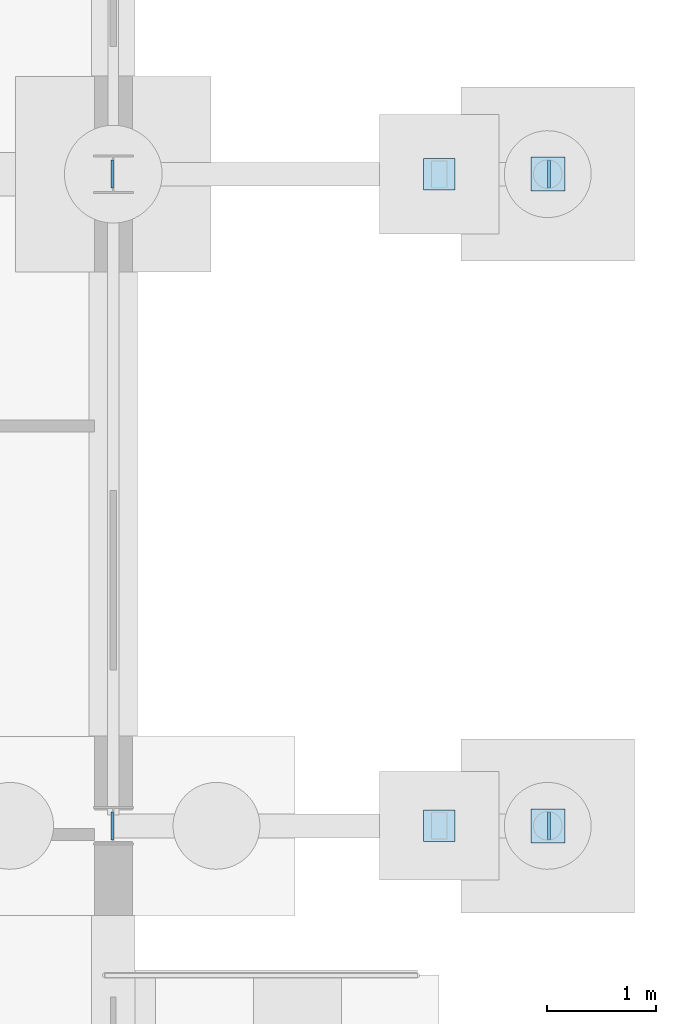
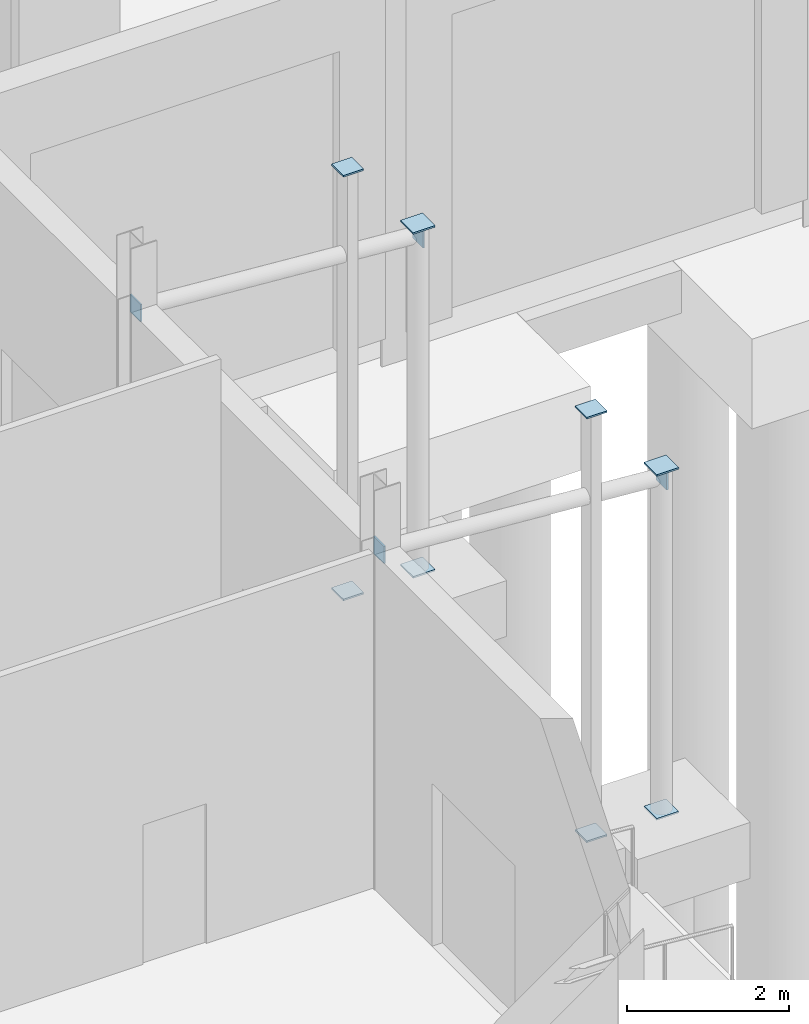
# One storey, part 78 of 120: 12 plates.
"""IFC4 building model written with IfcOpenShell, lengths in metres."""

from ifc_helpers import new_model, si_unit, direction, frame, origin, origin_2d, place, context, subcontext, project, spatial, rectangle, extrude, material, layer, layer_set, type_object, element, save


model = new_model("IFC4")

# Units and contexts
model_context = context("Model", 3, precision=1e-05, world=origin(), true_north=direction((0.0, 1.0)))
body_context = subcontext(model_context, "Body", "Model", "MODEL_VIEW")
ifc_project = project(units=[si_unit("LENGTHUNIT", "METRE"), si_unit("AREAUNIT", "SQUARE_METRE"), si_unit("VOLUMEUNIT", "CUBIC_METRE"), si_unit("PLANEANGLEUNIT", "RADIAN"), si_unit("MASSUNIT", "GRAM", prefix="KILO")], contexts=[model_context])

# Site, building, storey
site_placement = place(None, origin())
site = spatial("IfcSite", under=ifc_project, at=site_placement, CompositionType="ELEMENT")
building_placement = place(site_placement, origin())
building = spatial("IfcBuilding", under=site, at=building_placement, Name="Siltcreek Boulevard Central Fire Station", CompositionType="ELEMENT")
storey_placement = place(building_placement, origin())
storey = spatial("IfcBuildingStorey", under=building, at=storey_placement, Name="L01", CompositionType="ELEMENT", Elevation=0.0)

# Plates
ifc_material = material(Name="Structural steel ASTM A572 Gr50", Category="steel")
ifc_layer = layer(ifc_material, 0.02490234375, Name="Structural steel ASTM A572 Gr50")
ifc_layer_set = layer_set([ifc_layer], Name="Structural steel ASTM A572 Gr50")
plate_type = type_object("IfcPlateType", Name="PL_CAP25", PredefinedType="USERDEFINED", material=ifc_layer_set)
for number, where, z_axis, x_axis, name in (
    (1, (63.0, 7.800048828125, -0.373046875), (0.0, 0.0, 1.0), (1.0, 0.0, 0.0), "Terracotta pier pilaster column PL-01 sealed end cap 1"),
    (2, (63.0, 7.800048828125, 5.998046875), (0.0, 0.0, 1.0), (1.0, 0.0, 0.0), "Terracotta pier pilaster column PL-01 sealed end cap 2"),
    (3, (63.0, 13.800048828125, -0.373046875), (0.0, 0.0, 1.0), (1.0, 0.0, 0.0), "Terracotta pier pilaster column PL-02 sealed end cap 1"),
    (4, (63.0, 13.800048828125, 5.998046875), (0.0, 0.0, 1.0), (1.0, 0.0, 0.0), "Terracotta pier pilaster column PL-02 sealed end cap 2"),
):
    element("IfcPlate", number, at=place(storey_placement, frame(where, z_axis=z_axis, x_axis=x_axis)), inside=storey, type_object=plate_type, Name=name, ObjectType="END CAP", PredefinedType="USERDEFINED", context=body_context, shape_type="SweptSolid", body=[
        extrude(rectangle(XDim=0.2900390625, YDim=0.2900390625, at=origin_2d()), origin(), (0.0, 0.0, 1.0), 0.02490234375),
    ])
for number, where, z_axis, x_axis, name in (
    (5, (64.0, 7.800048828125, -0.373046875), (0.0, 0.0, 1.0), (1.0, 0.0, 0.0), "Boulevard canopy steel pipe column CC-01 sealed end cap 1"),
    (6, (64.0, 7.800048828125, 4.798095703125), (0.0, 0.0, 1.0), (1.0, 0.0, 0.0), "Boulevard canopy steel pipe column CC-01 sealed end cap 2"),
    (7, (64.0, 13.800048828125, -0.373046875), (0.0, 0.0, 1.0), (1.0, 0.0, 0.0), "Boulevard canopy steel pipe column CC-02 sealed end cap 1"),
    (8, (64.0, 13.800048828125, 4.798095703125), (0.0, 0.0, 1.0), (1.0, 0.0, 0.0), "Boulevard canopy steel pipe column CC-02 sealed end cap 2"),
):
    element("IfcPlate", number, at=place(storey_placement, frame(where, z_axis=z_axis, x_axis=x_axis)), inside=storey, type_object=plate_type, Name=name, ObjectType="END CAP", PredefinedType="USERDEFINED", context=body_context, shape_type="SweptSolid", body=[
        extrude(rectangle(XDim=0.31298828125, YDim=0.31298828125, at=origin_2d()), origin(), (0.0, 0.0, 1.0), 0.02490234375),
    ])
for number, where, z_axis, x_axis, name in (
    (9, (64.010498046875, 7.800048828125, 4.51953125), (0.0, 0.0, 1.0), (-1.0, 0.0, 0.0), "Boulevard canopy tie strut CS-01 sealed end cap 1"),
    (10, (59.989501953125, 7.800048828125, 4.8212890625), (0.0, 0.0, 1.0), (-1.0, 0.0, 0.0), "Boulevard canopy tie strut CS-01 sealed end cap 2"),
    (11, (64.010498046875, 13.800048828125, 4.51953125), (0.0, 0.0, 1.0), (-1.0, 0.0, 0.0), "Boulevard canopy tie strut CS-02 sealed end cap 1"),
    (12, (59.989501953125, 13.800048828125, 4.8212890625), (0.0, 0.0, 1.0), (-1.0, 0.0, 0.0), "Boulevard canopy tie strut CS-02 sealed end cap 2"),
):
    element("IfcPlate", number, at=place(storey_placement, frame(where, z_axis=z_axis, x_axis=x_axis)), inside=storey, type_object=plate_type, Name=name, ObjectType="END CAP", PredefinedType="USERDEFINED", context=body_context, shape_type="SweptSolid", body=[
        extrude(rectangle(XDim=0.02490234375, YDim=0.259033203125, at=origin_2d()), origin(), (0.0, 0.0, 1.0), 0.259033203125),
    ])

save(model, "model.ifc")
